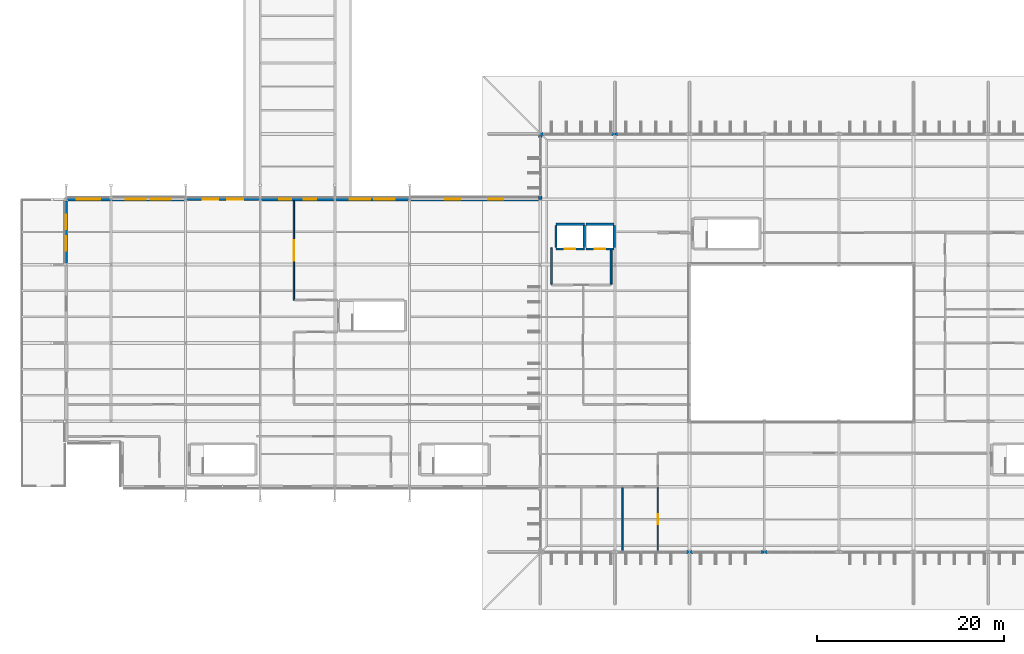
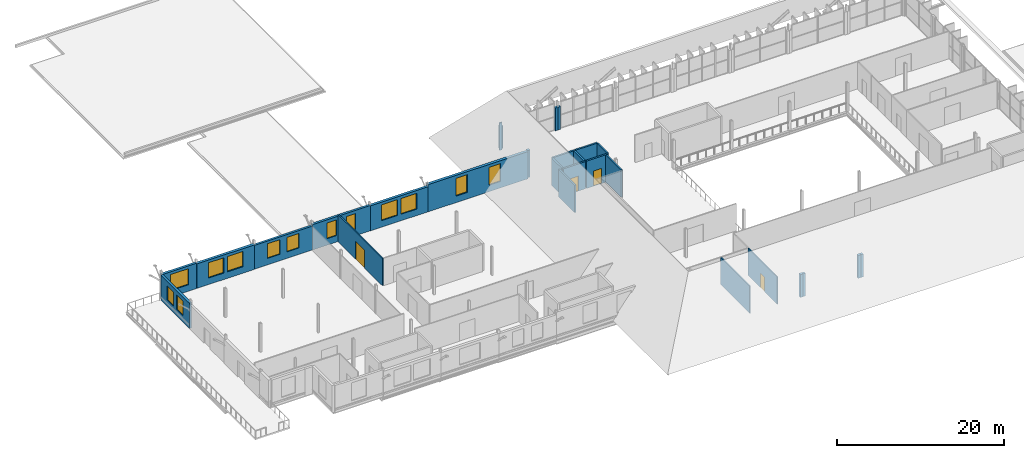
# One storey, part 81 of 93: 28 walls, 13 windows, 4 doors, 17 openings.
"""IFC4 building model written with IfcOpenShell, lengths in metres."""

import ifcopenshell
import ifcopenshell.guid

model = None  # the IFC model being written
_history = None  # IfcOwnerHistory: only IFC2X3 demands one
_inside = {}  # id of a spatial element -> (the spatial element, [elements in it])
_under = {}  # id of a project, library or spatial element -> (it, [spatial elements below it])
_declared = {}  # id of a project -> (the project, [libraries it declares])
_typed = {}  # id of a type object -> (the type object, [elements of that type])
_made_of = {}  # id of a material, layer set ... -> (it, [elements and type objects made of it])


def new_model(schema):
    """Start an empty IFC model of exactly this schema.

    Asked for "IFC4X3", IfcOpenShell would pick the latest addendum, in which some entities
    have other attributes; the version numbers below select the first issue.
    IFC2X3 requires an IfcOwnerHistory on every rooted entity: one is made here for all.
    """
    global model, _history
    if schema == "IFC4X3":
        model = ifcopenshell.file(schema_version=(4, 3, 0, 0))
    else:
        model = ifcopenshell.file(schema=schema)
    _inside.clear()
    _under.clear()
    _declared.clear()
    _typed.clear()
    _made_of.clear()
    _history = None
    if model.schema == "IFC2X3":
        org = make("IfcOrganization", Name="unknown")
        user = make(
            "IfcPersonAndOrganization",
            ThePerson=make("IfcPerson", FamilyName="unknown"),
            TheOrganization=org,
        )
        app = make(
            "IfcApplication",
            ApplicationDeveloper=org,
            Version="unknown",
            ApplicationFullName="unknown",
            ApplicationIdentifier="unknown",
        )
        _history = make(
            "IfcOwnerHistory",
            OwningUser=user,
            OwningApplication=app,
            ChangeAction="ADDED",
            CreationDate=0,
        )
    return model


def make(cls, **values):
    """One entity of the class cls with the attributes given. An attribute that is None is left unset."""
    return model.create_entity(
        cls, **{name: value for name, value in values.items() if value is not None}
    )


def rooted(cls, **values):
    """An entity with a GlobalId (a new one), such as an element, a storey or a relation."""
    return make(cls, GlobalId=ifcopenshell.guid.new(), OwnerHistory=_history, **values)


def si_unit(unit_type, name, prefix=None):
    """IfcSIUnit, for example si_unit("LENGTHUNIT", "METRE", prefix="MILLI")."""
    return make("IfcSIUnit", UnitType=unit_type, Prefix=prefix, Name=name)


def assignment(units):
    """IfcUnitAssignment: the units of a project."""
    return None if units is None else make("IfcUnitAssignment", Units=units)


def point(xyz):
    """IfcCartesianPoint."""
    return None if xyz is None else make("IfcCartesianPoint", Coordinates=xyz)


def direction(xyz):
    """IfcDirection."""
    return None if xyz is None else make("IfcDirection", DirectionRatios=xyz)


def frame(location, z_axis=None, x_axis=None):
    """IfcAxis2Placement3D, a coordinate frame: its origin and axes. An axis left out is left unset."""
    return make(
        "IfcAxis2Placement3D",
        Location=point(location),
        Axis=direction(z_axis),
        RefDirection=direction(x_axis),
    )


def frame_2d(location, x_axis=None):
    """IfcAxis2Placement2D, a coordinate frame in the plane: its origin and x axis."""
    return make(
        "IfcAxis2Placement2D", Location=point(location), RefDirection=direction(x_axis)
    )


def origin():
    """The frame at (0, 0, 0) with its axes left unset."""
    return frame((0.0, 0.0, 0.0))


def place(relative_to, where):
    """IfcLocalPlacement: puts the frame where relative to a parent placement (None: the world)."""
    return make(
        "IfcLocalPlacement", PlacementRelTo=relative_to, RelativePlacement=where
    )


def context(
    kind, dimensions, precision=None, world=None, true_north=None, identifier=None
):
    """IfcGeometricRepresentationContext, for example the 3D "Model" context."""
    return make(
        "IfcGeometricRepresentationContext",
        ContextIdentifier=identifier,
        ContextType=kind,
        CoordinateSpaceDimension=dimensions,
        Precision=precision,
        WorldCoordinateSystem=world,
        TrueNorth=true_north,
    )


def subcontext(parent, identifier, kind, view, scale=None):
    """IfcGeometricRepresentationSubContext, for example "Body" below "Model"."""
    return make(
        "IfcGeometricRepresentationSubContext",
        ContextIdentifier=identifier,
        ContextType=kind,
        ParentContext=parent,
        TargetScale=scale,
        TargetView=view,
    )


def project(units=None, contexts=None):
    """IfcProject with its units and contexts."""
    return rooted(
        "IfcProject",
        Name="project",
        RepresentationContexts=contexts,
        UnitsInContext=assignment(units),
    )


def spatial(cls, under=None, at=None, **own):
    """A site, building, storey or space (cls), placed at a placement, below another one or the project."""
    s = rooted(cls, ObjectPlacement=at, **own)
    if under is not None:
        _under.setdefault(under.id(), (under, []))[1].append(s)
    return s


def profile(cls, at=None, kind="AREA", **sizes):
    """A parametric profile (cls). Its sizes go by their IFC names, for example OverallWidth=200.0."""
    return make(cls, ProfileType=kind, Position=at, **sizes)


def rectangle(**sizes):
    """IfcRectangleProfileDef."""
    return profile("IfcRectangleProfileDef", **sizes)


def extrude(swept, where, along, depth):
    """IfcExtrudedAreaSolid: the profile swept, set in the frame where, extruded along a direction by depth."""
    return make(
        "IfcExtrudedAreaSolid",
        SweptArea=swept,
        Position=where,
        ExtrudedDirection=direction(along),
        Depth=depth,
    )


def shape(context_of_items, identifier, shape_type, items):
    """IfcShapeRepresentation: the items that make up one representation, for example the "Body"."""
    return make(
        "IfcShapeRepresentation",
        ContextOfItems=context_of_items,
        RepresentationIdentifier=identifier,
        RepresentationType=shape_type,
        Items=items,
    )


def material(Name=None, Category=None):
    """IfcMaterial."""
    return make("IfcMaterial", Name=Name, Category=Category)


def layer(
    of_material, thickness, ventilated=None, Name=None, Category=None, Priority=None
):
    """IfcMaterialLayer: one layer of a wall or slab, of a material (None: an air gap)."""
    return make(
        "IfcMaterialLayer",
        Material=of_material,
        LayerThickness=thickness,
        IsVentilated=ventilated,
        Name=Name,
        Category=Category,
        Priority=Priority,
    )


def layer_set(layers, Name=None):
    """IfcMaterialLayerSet."""
    return make("IfcMaterialLayerSet", MaterialLayers=layers, LayerSetName=Name)


def made_of(thing, what):
    """Note that an element or type object is made of a material, layer set ...; save() writes the relation."""
    if what is not None:
        _made_of.setdefault(what.id(), (what, []))[1].append(thing)
    return thing


def type_object(cls, material=None, **own):
    """A type object (cls), such as IfcWallType, which elements share."""
    return made_of(rooted(cls, **own), material)


def element(
    cls,
    number,
    at=None,
    inside=None,
    cuts=None,
    type_object=None,
    material=None,
    context=None,
    identifier="Body",
    shape_type=None,
    held_by="IfcProductDefinitionShape",
    body=None,
    shapes=None,
    **own,
):
    """One element of the class cls, such as IfcWall. Its Tag is "e" and its number.

    at: its placement. inside: the storey or other place that contains it. cuts: it is an
    opening in that element (IfcRelVoidsElement). A single representation is given by context,
    identifier, shape_type and body (its items); several are given by shapes. held_by: the class
    of the entity that holds the representations. save() writes the other relations.
    """
    e = rooted(cls, Tag="e%d" % number, ObjectPlacement=at, **own)
    if body is not None:
        shapes = [shape(context, identifier, shape_type, body)]
    if shapes is not None:
        e.Representation = make(held_by, Representations=shapes)
    if inside is not None:
        _inside.setdefault(inside.id(), (inside, []))[1].append(e)
    if cuts is not None:
        rooted(
            "IfcRelVoidsElement", RelatingBuildingElement=cuts, RelatedOpeningElement=e
        )
    if type_object is not None:
        _typed.setdefault(type_object.id(), (type_object, []))[1].append(e)
    return made_of(e, material)


def fill(opening, filler):
    """IfcRelFillsElement: the door or window that sits in an opening."""
    return rooted(
        "IfcRelFillsElement",
        RelatingOpeningElement=opening,
        RelatedBuildingElement=filler,
    )


def aggregate(whole, parts):
    """IfcRelAggregates: a whole, such as a stair, and the parts it consists of."""
    return rooted("IfcRelAggregates", RelatingObject=whole, RelatedObjects=parts)


def save(model, path):
    """Write the relations noted so far, then the file.

    IfcRelAggregates (storeys below a building ...), IfcRelContainedInSpatialStructure (elements
    in a storey), IfcRelDefinesByType, IfcRelAssociatesMaterial and IfcRelDeclares: one each for
    every whole, place, type object, material and project.
    """
    for whole, parts in _under.values():
        aggregate(whole, parts)
    for where, things in _inside.values():
        rooted(
            "IfcRelContainedInSpatialStructure",
            RelatedElements=things,
            RelatingStructure=where,
        )
    for kind, things in _typed.values():
        rooted("IfcRelDefinesByType", RelatedObjects=things, RelatingType=kind)
    for what, things in _made_of.values():
        rooted("IfcRelAssociatesMaterial", RelatedObjects=things, RelatingMaterial=what)
    for by, libraries in _declared.values():
        rooted("IfcRelDeclares", RelatingContext=by, RelatedDefinitions=libraries)
    model.write(path)


model = new_model("IFC4")

# Units and contexts
model_context = context("Model", 3, precision=1e-05, world=origin(), true_north=direction((0.0, 1.0)))
body_context = subcontext(model_context, "Body", "Model", "MODEL_VIEW")
ifc_project = project(units=[si_unit("LENGTHUNIT", "METRE"), si_unit("AREAUNIT", "SQUARE_METRE"), si_unit("VOLUMEUNIT", "CUBIC_METRE"), si_unit("PLANEANGLEUNIT", "RADIAN"), si_unit("MASSUNIT", "GRAM", prefix="KILO")], contexts=[model_context])

# Site, building, storey
site_placement = place(None, origin())
site = spatial("IfcSite", under=ifc_project, at=site_placement, CompositionType="ELEMENT")
building_placement = place(site_placement, origin())
building = spatial("IfcBuilding", under=site, at=building_placement, Name="Vekula Escarpment Museum", CompositionType="ELEMENT")
storey_placement = place(building_placement, frame((0.0, 0.0, 22.199951171875)))
storey = spatial("IfcBuildingStorey", under=building, at=storey_placement, Name="L05", CompositionType="ELEMENT", Elevation=22.199951171875)

# Wall, openings, windows
ifc_material_1 = material(Name="Inkisi arkosic sandstone masonry", Category="masonry")
ifc_layer_1 = layer(ifc_material_1, 0.300048828125)
ifc_layer_set_1 = layer_set([ifc_layer_1], Name="Inkisi arkosic sandstone masonry")
wall_type_1 = type_object("IfcWallType", Name="WL-ALM-300", PredefinedType="SOLIDWALL", material=ifc_layer_set_1)
wall_1_placement = place(storey_placement, frame((32.0, 83.39990234375, 0.0), z_axis=(0.0, 0.0, 1.0), x_axis=(1.0, 0.0, 0.0)))
wall_1 = element("IfcWall", 1, at=wall_1_placement, inside=storey, type_object=wall_type_1, Name="Exterior Wall WL-EXT-L05-0863", PredefinedType="SOLIDWALL", context=body_context, shape_type="SweptSolid", body=[
    extrude(rectangle(XDim=8.0, YDim=0.300048828125, at=frame_2d((4.0, 0.0))), origin(), (0.0, 0.0, 1.0), 3.485107421875),
])
opening_1_placement = place(wall_1_placement, frame((1.816650390625, 0.0, 0.949951171875)))
opening_1 = element("IfcOpeningElement", 2, at=opening_1_placement, cuts=wall_1, Name="Opening WN-19", PredefinedType="OPENING", context=body_context, shape_type="SweptSolid", body=[
    extrude(rectangle(XDim=1.699951171875, YDim=2.1298828125, at=frame_2d((0.85009765625, 1.06494140625))), frame((0.0, 0.159912109375, 0.0), z_axis=(0.0, -1.0, 0.0), x_axis=(1.0, 0.0, 0.0)), (0.0, 0.0, 1.0), 0.320068359375),
])
opening_2_placement = place(wall_1_placement, frame((4.4833984375, 0.0, 0.949951171875)))
opening_2 = element("IfcOpeningElement", 3, at=opening_2_placement, cuts=wall_1, Name="Opening WN-19", PredefinedType="OPENING", context=body_context, shape_type="SweptSolid", body=[
    extrude(rectangle(XDim=1.699951171875, YDim=2.1298828125, at=frame_2d((0.85009765625, 1.06494140625))), frame((0.0, 0.159912109375, 0.0), z_axis=(0.0, -1.0, 0.0), x_axis=(1.0, 0.0, 0.0)), (0.0, 0.0, 1.0), 0.320068359375),
])
ifc_material_2 = material(Name="Double solar-control low-E glass", Category="glass")
window_type_1 = type_object("IfcWindowType", Name="WN-GAL-17x27", PartitioningType="DOUBLE_PANEL_VERTICAL", PredefinedType="WINDOW", material=ifc_material_2)
window_1_placement = place(opening_1_placement, origin())
window_1 = element("IfcWindow", 4, at=window_1_placement, inside=storey, type_object=window_type_1, Name="Window L05-0461", OverallHeight=2.1298828125, OverallWidth=1.699951171875, PartitioningType="SINGLE_PANEL", PredefinedType="WINDOW", context=body_context, shape_type="SweptSolid", body=[
    extrude(rectangle(XDim=1.699951171875, YDim=2.1298828125, at=frame_2d((0.85009765625, 1.06494140625))), frame((0.0, 0.030029296875, 0.0), z_axis=(0.0, -1.0, 0.0), x_axis=(1.0, 0.0, 0.0)), (0.0, 0.0, 1.0), 0.06005859375),
])
fill(opening_1, window_1)
window_2_placement = place(opening_2_placement, origin())
window_2 = element("IfcWindow", 5, at=window_2_placement, inside=storey, type_object=window_type_1, Name="Window L05-0462", OverallHeight=2.1298828125, OverallWidth=1.699951171875, PartitioningType="SINGLE_PANEL", PredefinedType="WINDOW", context=body_context, shape_type="SweptSolid", body=[
    extrude(rectangle(XDim=1.699951171875, YDim=2.1298828125, at=frame_2d((0.85009765625, 1.06494140625))), frame((0.0, 0.030029296875, 0.0), z_axis=(0.0, -1.0, 0.0), x_axis=(1.0, 0.0, 0.0)), (0.0, 0.0, 1.0), 0.06005859375),
])
fill(opening_2, window_2)

ifc_material_3 = material(Name="Inkisi arkosic sandstone masonry", Category="masonry")
ifc_layer_2 = layer(ifc_material_3, 0.320068359375)
ifc_layer_set_2 = layer_set([ifc_layer_2], Name="Inkisi arkosic sandstone masonry")
wall_type_2 = type_object("IfcWallType", Name="WL-ALM-320", PredefinedType="SOLIDWALL", material=ifc_layer_set_2)
wall_2_placement = place(storey_placement, frame((40.0, 83.39990234375, 0.0), z_axis=(0.0, 0.0, 1.0), x_axis=(1.0, 0.0, 0.0)))
wall_2 = element("IfcWall", 6, at=wall_2_placement, inside=storey, type_object=wall_type_2, Name="Exterior Wall WL-EXT-L05-0862", PredefinedType="SOLIDWALL", context=body_context, shape_type="SweptSolid", body=[
    extrude(rectangle(XDim=8.0, YDim=0.320068359375, at=frame_2d((4.0, 0.0))), origin(), (0.0, 0.0, 1.0), 3.705078125),
])
opening_3_placement = place(wall_2_placement, frame((2.0166015625, 0.0, 0.949951171875)))
opening_3 = element("IfcOpeningElement", 7, at=opening_3_placement, cuts=wall_2, Name="Opening WN-17", PredefinedType="OPENING", context=body_context, shape_type="SweptSolid", body=[
    extrude(rectangle(XDim=1.300048828125, YDim=2.300048828125, at=frame_2d((0.64990234375, 1.14990234375))), frame((0.0, 0.169921875, 0.0), z_axis=(0.0, -1.0, 0.0), x_axis=(1.0, 0.0, 0.0)), (0.0, 0.0, 1.0), 0.340087890625),
])
opening_4_placement = place(wall_2_placement, frame((4.683349609375, 0.0, 0.949951171875)))
opening_4 = element("IfcOpeningElement", 8, at=opening_4_placement, cuts=wall_2, Name="Opening WN-17", PredefinedType="OPENING", context=body_context, shape_type="SweptSolid", body=[
    extrude(rectangle(XDim=1.300048828125, YDim=2.300048828125, at=frame_2d((0.64990234375, 1.14990234375))), frame((0.0, 0.169921875, 0.0), z_axis=(0.0, -1.0, 0.0), x_axis=(1.0, 0.0, 0.0)), (0.0, 0.0, 1.0), 0.340087890625),
])
ifc_material_4 = material(Name="Double solar-control low-E glass", Category="glass")
window_type_2 = type_object("IfcWindowType", Name="WN-GAL-13x23", PartitioningType="SINGLE_PANEL", PredefinedType="WINDOW", material=ifc_material_4)
window_3_placement = place(opening_3_placement, origin())
window_3 = element("IfcWindow", 9, at=window_3_placement, inside=storey, type_object=window_type_2, Name="Window L05-0459", OverallHeight=2.300048828125, OverallWidth=1.300048828125, PartitioningType="SINGLE_PANEL", PredefinedType="WINDOW", context=body_context, shape_type="SweptSolid", body=[
    extrude(rectangle(XDim=1.300048828125, YDim=2.300048828125, at=frame_2d((0.64990234375, 1.14990234375))), frame((0.0, 0.030029296875, 0.0), z_axis=(0.0, -1.0, 0.0), x_axis=(1.0, 0.0, 0.0)), (0.0, 0.0, 1.0), 0.06005859375),
])
fill(opening_3, window_3)
window_4_placement = place(opening_4_placement, origin())
window_4 = element("IfcWindow", 10, at=window_4_placement, inside=storey, type_object=window_type_2, Name="Window L05-0460", OverallHeight=2.300048828125, OverallWidth=1.300048828125, PartitioningType="SINGLE_PANEL", PredefinedType="WINDOW", context=body_context, shape_type="SweptSolid", body=[
    extrude(rectangle(XDim=1.300048828125, YDim=2.300048828125, at=frame_2d((0.64990234375, 1.14990234375))), frame((0.0, 0.030029296875, 0.0), z_axis=(0.0, -1.0, 0.0), x_axis=(1.0, 0.0, 0.0)), (0.0, 0.0, 1.0), 0.06005859375),
])
fill(opening_4, window_4)

wall_3_placement = place(storey_placement, frame((19.199951171875, 76.39990234375, 0.0), z_axis=(0.0, 0.0, 1.0), x_axis=(0.0, 1.0, 0.0)))
wall_3 = element("IfcWall", 11, at=wall_3_placement, inside=storey, type_object=wall_type_2, Name="Exterior Wall WL-EXT-L05-0866", PredefinedType="SOLIDWALL", context=body_context, shape_type="SweptSolid", body=[
    extrude(rectangle(XDim=6.821044921875, YDim=0.320068359375, at=frame_2d((3.41064453125, 0.0))), origin(), (0.0, 0.0, 1.0), 3.695068359375),
])
opening_5_placement = place(wall_3_placement, frame((1.498779296875, 0.0, 0.949951171875)))
opening_5 = element("IfcOpeningElement", 12, at=opening_5_placement, cuts=wall_3, Name="Opening WN-24", PredefinedType="OPENING", context=body_context, shape_type="SweptSolid", body=[
    extrude(rectangle(XDim=1.550048828125, YDim=2.10009765625, at=frame_2d((0.77490234375, 1.050048828125))), frame((0.0, 0.169921875, 0.0), z_axis=(0.0, -1.0, 0.0), x_axis=(1.0, 0.0, 0.0)), (0.0, 0.0, 1.0), 0.340087890625),
])
opening_6_placement = place(wall_3_placement, frame((3.772216796875, 0.0, 0.949951171875)))
opening_6 = element("IfcOpeningElement", 13, at=opening_6_placement, cuts=wall_3, Name="Opening WN-24", PredefinedType="OPENING", context=body_context, shape_type="SweptSolid", body=[
    extrude(rectangle(XDim=1.550048828125, YDim=2.10009765625, at=frame_2d((0.77490234375, 1.050048828125))), frame((0.0, 0.169921875, 0.0), z_axis=(0.0, -1.0, 0.0), x_axis=(1.0, 0.0, 0.0)), (0.0, 0.0, 1.0), 0.340087890625),
])
ifc_material_5 = material(Name="Double solar-control low-E glass", Category="glass")
window_type_3 = type_object("IfcWindowType", Name="WN-GAL-15x21", PartitioningType="SINGLE_PANEL", PredefinedType="WINDOW", material=ifc_material_5)
window_5_placement = place(opening_5_placement, origin())
window_5 = element("IfcWindow", 14, at=window_5_placement, inside=storey, type_object=window_type_3, Name="Window L05-0466", OverallHeight=2.10009765625, OverallWidth=1.550048828125, PartitioningType="SINGLE_PANEL", PredefinedType="WINDOW", context=body_context, shape_type="SweptSolid", body=[
    extrude(rectangle(XDim=1.550048828125, YDim=2.10009765625, at=frame_2d((0.77490234375, 1.050048828125))), frame((0.0, 0.030029296875, 0.0), z_axis=(0.0, -1.0, 0.0), x_axis=(1.0, 0.0, 0.0)), (0.0, 0.0, 1.0), 0.06005859375),
])
fill(opening_5, window_5)
window_6_placement = place(opening_6_placement, origin())
window_6 = element("IfcWindow", 15, at=window_6_placement, inside=storey, type_object=window_type_3, Name="Window L05-0467", OverallHeight=2.10009765625, OverallWidth=1.550048828125, PartitioningType="SINGLE_PANEL", PredefinedType="WINDOW", context=body_context, shape_type="SweptSolid", body=[
    extrude(rectangle(XDim=1.550048828125, YDim=2.10009765625, at=frame_2d((0.77490234375, 1.050048828125))), frame((0.0, 0.030029296875, 0.0), z_axis=(0.0, -1.0, 0.0), x_axis=(1.0, 0.0, 0.0)), (0.0, 0.0, 1.0), 0.06005859375),
])
fill(opening_6, window_6)

# Walls
ifc_material_6 = material(Name="Inkisi arkosic sandstone masonry", Category="masonry")
ifc_layer_3 = layer(ifc_material_6, 0.35009765625)
ifc_layer_set_3 = layer_set([ifc_layer_3], Name="Inkisi arkosic sandstone masonry")
wall_type_3 = type_object("IfcWallType", Name="WL-ALM-350", PredefinedType="SOLIDWALL", material=ifc_layer_set_3)
for number, where, z_axis, x_axis, name in (
    (16, (85.639892578125, 45.60009765625, 0.0), (0.0, 0.0, 1.0), (1.0, 0.0, 0.0), "Facade Jamb Pier L05-0821B"),
    (17, (86.0, 45.60009765625, 0.0), (0.0, 0.0, 1.0), (1.0, 0.0, 0.0), "Facade Jamb Pier L05-0822A"),
    (18, (93.639892578125, 45.60009765625, 0.0), (0.0, 0.0, 1.0), (1.0, 0.0, 0.0), "Facade Jamb Pier L05-0823B"),
    (19, (94.0, 45.60009765625, 0.0), (0.0, 0.0, 1.0), (1.0, 0.0, 0.0), "Facade Jamb Pier L05-0824A"),
    (20, (78.360107421875, 90.39990234375, 0.0), (0.0, 0.0, 1.0), (-1.0, 0.0, 0.0), "Facade Jamb Pier L05-0855B"),
    (21, (78.0, 90.39990234375, 0.0), (0.0, 0.0, 1.0), (-1.0, 0.0, 0.0), "Facade Jamb Pier L05-0856A"),
    (22, (70.360107421875, 90.39990234375, 0.0), (0.0, 0.0, 1.0), (-1.0, 0.0, 0.0), "Facade Jamb Pier L05-0857B"),
):
    element("IfcWall", number, at=place(storey_placement, frame(where, z_axis=z_axis, x_axis=x_axis)), inside=storey, type_object=wall_type_3, Name=name, PredefinedType="SOLIDWALL", context=body_context, shape_type="SweptSolid", body=[
        extrude(rectangle(XDim=0.360107421875, YDim=0.35009765625, at=frame_2d((0.18017578125, 0.0))), origin(), (0.0, 0.0, 1.0), 3.3349609375),
    ])
wall_4_placement = place(storey_placement, frame((70.0, 90.220947265625, 0.0), z_axis=(0.0, 0.0, 1.0), x_axis=(0.0, -1.0, 0.0)))
element("IfcWall", 23, at=wall_4_placement, inside=storey, type_object=wall_type_3, Name="Facade Jamb Pier L05-0858A", PredefinedType="SOLIDWALL", context=body_context, shape_type="SweptSolid", body=[
    extrude(rectangle(XDim=0.180908203125, YDim=0.35009765625, at=frame_2d((0.09033203125, 0.0))), origin(), (0.0, 0.0, 1.0), 3.97998046875),
])
wall_5_placement = place(storey_placement, frame((70.0, 83.760009765625, 0.0), z_axis=(0.0, 0.0, 1.0), x_axis=(0.0, -1.0, 0.0)))
element("IfcWall", 24, at=wall_5_placement, inside=storey, type_object=wall_type_3, Name="Facade Jamb Pier L05-0859B", PredefinedType="SOLIDWALL", context=body_context, shape_type="SweptSolid", body=[
    extrude(rectangle(XDim=0.360107421875, YDim=0.35009765625, at=frame_2d((0.18017578125, 0.0))), origin(), (0.0, 0.0, 1.0), 3.97998046875),
])

# Wall, openings, windows
wall_6_placement = place(storey_placement, frame((48.0, 83.39990234375, 0.0), z_axis=(0.0, 0.0, 1.0), x_axis=(1.0, 0.0, 0.0)))
wall_6 = element("IfcWall", 25, at=wall_6_placement, inside=storey, type_object=wall_type_3, Name="Exterior Wall WL-EXT-L05-0861", PredefinedType="SOLIDWALL", context=body_context, shape_type="SweptSolid", body=[
    extrude(rectangle(XDim=8.0, YDim=0.35009765625, at=frame_2d((4.0, 0.0))), origin(), (0.0, 0.0, 1.0), 3.6650390625),
])
opening_7_placement = place(wall_6_placement, frame((1.566650390625, 0.0, 0.949951171875)))
opening_7 = element("IfcOpeningElement", 26, at=opening_7_placement, cuts=wall_6, Name="Opening WN-16", PredefinedType="OPENING", context=body_context, shape_type="SweptSolid", body=[
    extrude(rectangle(XDim=2.199951171875, YDim=2.31005859375, at=frame_2d((1.10009765625, 1.155029296875))), frame((0.0, 0.18505859375, 0.0), z_axis=(0.0, -1.0, 0.0), x_axis=(1.0, 0.0, 0.0)), (0.0, 0.0, 1.0), 0.3701171875),
])
opening_8_placement = place(wall_6_placement, frame((4.2333984375, 0.0, 0.949951171875)))
opening_8 = element("IfcOpeningElement", 27, at=opening_8_placement, cuts=wall_6, Name="Opening WN-16", PredefinedType="OPENING", context=body_context, shape_type="SweptSolid", body=[
    extrude(rectangle(XDim=2.199951171875, YDim=2.31005859375, at=frame_2d((1.10009765625, 1.155029296875))), frame((0.0, 0.18505859375, 0.0), z_axis=(0.0, -1.0, 0.0), x_axis=(1.0, 0.0, 0.0)), (0.0, 0.0, 1.0), 0.3701171875),
])
ifc_material_7 = material(Name="Double solar-control low-E glass", Category="glass")
window_type_4 = type_object("IfcWindowType", Name="WN-SALON-22x26", PartitioningType="DOUBLE_PANEL_VERTICAL", PredefinedType="WINDOW", material=ifc_material_7)
window_7_placement = place(opening_7_placement, origin())
window_7 = element("IfcWindow", 28, at=window_7_placement, inside=storey, type_object=window_type_4, Name="Window L05-0457", OverallHeight=2.31005859375, OverallWidth=2.199951171875, PartitioningType="SINGLE_PANEL", PredefinedType="WINDOW", context=body_context, shape_type="SweptSolid", body=[
    extrude(rectangle(XDim=2.199951171875, YDim=2.31005859375, at=frame_2d((1.10009765625, 1.155029296875))), frame((0.0, 0.030029296875, 0.0), z_axis=(0.0, -1.0, 0.0), x_axis=(1.0, 0.0, 0.0)), (0.0, 0.0, 1.0), 0.06005859375),
])
fill(opening_7, window_7)
window_8_placement = place(opening_8_placement, origin())
window_8 = element("IfcWindow", 29, at=window_8_placement, inside=storey, type_object=window_type_4, Name="Window L05-0458", OverallHeight=2.31005859375, OverallWidth=2.199951171875, PartitioningType="SINGLE_PANEL", PredefinedType="WINDOW", context=body_context, shape_type="SweptSolid", body=[
    extrude(rectangle(XDim=2.199951171875, YDim=2.31005859375, at=frame_2d((1.10009765625, 1.155029296875))), frame((0.0, 0.030029296875, 0.0), z_axis=(0.0, -1.0, 0.0), x_axis=(1.0, 0.0, 0.0)), (0.0, 0.0, 1.0), 0.06005859375),
])
fill(opening_8, window_8)

# Wall, opening, window
wall_7_placement = place(storey_placement, frame((19.199951171875, 83.39990234375, 0.0), z_axis=(0.0, 0.0, 1.0), x_axis=(1.0, 0.0, 0.0)))
wall_7 = element("IfcWall", 30, at=wall_7_placement, inside=storey, type_object=wall_type_3, Name="Exterior Wall WL-EXT-L05-0865", PredefinedType="SOLIDWALL", context=body_context, shape_type="SweptSolid", body=[
    extrude(rectangle(XDim=4.800048828125, YDim=0.35009765625, at=frame_2d((2.39990234375, 0.0))), origin(), (0.0, 0.0, 1.0), 3.68505859375),
])
opening_9_placement = place(wall_7_placement, frame((1.14990234375, 0.0, 0.949951171875)))
opening_9 = element("IfcOpeningElement", 31, at=opening_9_placement, cuts=wall_7, Name="Opening WN-23", PredefinedType="OPENING", context=body_context, shape_type="SweptSolid", body=[
    extrude(rectangle(XDim=2.5, YDim=2.340087890625, at=frame_2d((1.25, 1.169921875))), frame((0.0, 0.18505859375, 0.0), z_axis=(0.0, -1.0, 0.0), x_axis=(1.0, 0.0, 0.0)), (0.0, 0.0, 1.0), 0.3701171875),
])
ifc_material_8 = material(Name="Double solar-control low-E glass", Category="glass")
window_type_5 = type_object("IfcWindowType", Name="WN-GAL-25x35", PartitioningType="TRIPLE_PANEL_VERTICAL", PredefinedType="WINDOW", material=ifc_material_8)
window_9_placement = place(opening_9_placement, origin())
window_9 = element("IfcWindow", 32, at=window_9_placement, inside=storey, type_object=window_type_5, Name="Window L05-0465", OverallHeight=2.340087890625, OverallWidth=2.5, PartitioningType="SINGLE_PANEL", PredefinedType="WINDOW", context=body_context, shape_type="SweptSolid", body=[
    extrude(rectangle(XDim=2.5, YDim=2.340087890625, at=frame_2d((1.25, 1.169921875))), frame((0.0, 0.030029296875, 0.0), z_axis=(0.0, -1.0, 0.0), x_axis=(1.0, 0.0, 0.0)), (0.0, 0.0, 1.0), 0.06005859375),
])
fill(opening_9, window_9)

# Wall, openings, windows
ifc_material_9 = material(Name="Inkisi arkosic sandstone masonry", Category="masonry")
ifc_layer_4 = layer(ifc_material_9, 0.3798828125)
ifc_layer_set_4 = layer_set([ifc_layer_4], Name="Inkisi arkosic sandstone masonry")
wall_type_4 = type_object("IfcWallType", Name="WL-ALM-380", PredefinedType="SOLIDWALL", material=ifc_layer_set_4)
wall_8_placement = place(storey_placement, frame((56.0, 83.39990234375, 0.0), z_axis=(0.0, 0.0, 1.0), x_axis=(1.0, 0.0, 0.0)))
wall_8 = element("IfcWall", 33, at=wall_8_placement, inside=storey, type_object=wall_type_4, Name="Exterior Wall WL-EXT-L05-0860", PredefinedType="SOLIDWALL", context=body_context, shape_type="SweptSolid", body=[
    extrude(rectangle(XDim=13.821044921875, YDim=0.3798828125, at=frame_2d((6.91064453125, 0.0))), origin(), (0.0, 0.0, 1.0), 3.97998046875),
])
opening_10_placement = place(wall_8_placement, frame((3.806884765625, 0.0, 0.949951171875)))
opening_10 = element("IfcOpeningElement", 34, at=opening_10_placement, cuts=wall_8, Name="Opening WN-12", PredefinedType="OPENING", context=body_context, shape_type="SweptSolid", body=[
    extrude(rectangle(XDim=1.60009765625, YDim=2.60009765625, at=frame_2d((0.800048828125, 1.300048828125))), frame((0.0, 0.199951171875, 0.0), z_axis=(0.0, -1.0, 0.0), x_axis=(1.0, 0.0, 0.0)), (0.0, 0.0, 1.0), 0.39990234375),
])
opening_11_placement = place(wall_8_placement, frame((8.4140625, 0.0, 0.949951171875)))
opening_11 = element("IfcOpeningElement", 35, at=opening_11_placement, cuts=wall_8, Name="Opening WN-12", PredefinedType="OPENING", context=body_context, shape_type="SweptSolid", body=[
    extrude(rectangle(XDim=1.60009765625, YDim=2.60009765625, at=frame_2d((0.800048828125, 1.300048828125))), frame((0.0, 0.199951171875, 0.0), z_axis=(0.0, -1.0, 0.0), x_axis=(1.0, 0.0, 0.0)), (0.0, 0.0, 1.0), 0.39990234375),
])
ifc_material_10 = material(Name="Double solar-control low-E glass", Category="glass")
window_type_6 = type_object("IfcWindowType", Name="WN-COURTYARD-16x26", PartitioningType="DOUBLE_PANEL_VERTICAL", PredefinedType="WINDOW", material=ifc_material_10)
window_10_placement = place(opening_10_placement, origin())
window_10 = element("IfcWindow", 36, at=window_10_placement, inside=storey, type_object=window_type_6, Name="Window L05-0455", OverallHeight=2.60009765625, OverallWidth=1.60009765625, PartitioningType="SINGLE_PANEL", PredefinedType="WINDOW", context=body_context, shape_type="SweptSolid", body=[
    extrude(rectangle(XDim=1.60009765625, YDim=2.60009765625, at=frame_2d((0.800048828125, 1.300048828125))), frame((0.0, 0.030029296875, 0.0), z_axis=(0.0, -1.0, 0.0), x_axis=(1.0, 0.0, 0.0)), (0.0, 0.0, 1.0), 0.06005859375),
])
fill(opening_10, window_10)
window_11_placement = place(opening_11_placement, origin())
window_11 = element("IfcWindow", 37, at=window_11_placement, inside=storey, type_object=window_type_6, Name="Window L05-0456", OverallHeight=2.60009765625, OverallWidth=1.60009765625, PartitioningType="SINGLE_PANEL", PredefinedType="WINDOW", context=body_context, shape_type="SweptSolid", body=[
    extrude(rectangle(XDim=1.60009765625, YDim=2.60009765625, at=frame_2d((0.800048828125, 1.300048828125))), frame((0.0, 0.030029296875, 0.0), z_axis=(0.0, -1.0, 0.0), x_axis=(1.0, 0.0, 0.0)), (0.0, 0.0, 1.0), 0.06005859375),
])
fill(opening_11, window_11)

wall_9_placement = place(storey_placement, frame((24.0, 83.39990234375, 0.0), z_axis=(0.0, 0.0, 1.0), x_axis=(1.0, 0.0, 0.0)))
wall_9 = element("IfcWall", 38, at=wall_9_placement, inside=storey, type_object=wall_type_4, Name="Exterior Wall WL-EXT-L05-0864", PredefinedType="SOLIDWALL", context=body_context, shape_type="SweptSolid", body=[
    extrude(rectangle(XDim=8.0, YDim=0.3798828125, at=frame_2d((4.0, 0.0))), origin(), (0.0, 0.0, 1.0), 3.5849609375),
])
opening_12_placement = place(wall_9_placement, frame((1.591796875, 0.0, 0.949951171875)))
opening_12 = element("IfcOpeningElement", 39, at=opening_12_placement, cuts=wall_9, Name="Opening WN-21", PredefinedType="OPENING", context=body_context, shape_type="SweptSolid", body=[
    extrude(rectangle(XDim=2.14990234375, YDim=2.239990234375, at=frame_2d((1.074951171875, 1.1201171875))), frame((0.0, 0.199951171875, 0.0), z_axis=(0.0, -1.0, 0.0), x_axis=(1.0, 0.0, 0.0)), (0.0, 0.0, 1.0), 0.39990234375),
])
opening_13_placement = place(wall_9_placement, frame((4.25830078125, 0.0, 0.949951171875)))
opening_13 = element("IfcOpeningElement", 40, at=opening_13_placement, cuts=wall_9, Name="Opening WN-21", PredefinedType="OPENING", context=body_context, shape_type="SweptSolid", body=[
    extrude(rectangle(XDim=2.14990234375, YDim=2.239990234375, at=frame_2d((1.074951171875, 1.1201171875))), frame((0.0, 0.199951171875, 0.0), z_axis=(0.0, -1.0, 0.0), x_axis=(1.0, 0.0, 0.0)), (0.0, 0.0, 1.0), 0.39990234375),
])
ifc_material_11 = material(Name="Double solar-control low-E glass", Category="glass")
window_type_7 = type_object("IfcWindowType", Name="WN-GAL-21x31", PartitioningType="DOUBLE_PANEL_VERTICAL", PredefinedType="WINDOW", material=ifc_material_11)
window_12_placement = place(opening_12_placement, origin())
window_12 = element("IfcWindow", 41, at=window_12_placement, inside=storey, type_object=window_type_7, Name="Window L05-0463", OverallHeight=2.239990234375, OverallWidth=2.14990234375, PartitioningType="SINGLE_PANEL", PredefinedType="WINDOW", context=body_context, shape_type="SweptSolid", body=[
    extrude(rectangle(XDim=2.14990234375, YDim=2.239990234375, at=frame_2d((1.074951171875, 1.1201171875))), frame((0.0, 0.030029296875, 0.0), z_axis=(0.0, -1.0, 0.0), x_axis=(1.0, 0.0, 0.0)), (0.0, 0.0, 1.0), 0.06005859375),
])
fill(opening_12, window_12)
window_13_placement = place(opening_13_placement, origin())
window_13 = element("IfcWindow", 42, at=window_13_placement, inside=storey, type_object=window_type_7, Name="Window L05-0464", OverallHeight=2.239990234375, OverallWidth=2.14990234375, PartitioningType="SINGLE_PANEL", PredefinedType="WINDOW", context=body_context, shape_type="SweptSolid", body=[
    extrude(rectangle(XDim=2.14990234375, YDim=2.239990234375, at=frame_2d((1.074951171875, 1.1201171875))), frame((0.0, 0.030029296875, 0.0), z_axis=(0.0, -1.0, 0.0), x_axis=(1.0, 0.0, 0.0)), (0.0, 0.0, 1.0), 0.06005859375),
])
fill(opening_13, window_13)

# Walls
ifc_material_12 = material(Name="Concrete C35/45", Category="concrete")
ifc_layer_5 = layer(ifc_material_12, 0.199951171875)
ifc_layer_set_5 = layer_set([ifc_layer_5], Name="Concrete C35/45")
wall_type_5 = type_object("IfcWallType", Name="WL-FFL-200", PredefinedType="PARTITIONING", material=ifc_layer_set_5)
wall_10_placement = place(storey_placement, frame((71.199951171875, 74.303955078125, 0.0), z_axis=(0.0, 0.0, 1.0), x_axis=(0.0, 1.0, 0.0)))
element("IfcWall", 43, at=wall_10_placement, inside=storey, type_object=wall_type_5, Name="Lift Lobby Wall LP-01 L05 W", PredefinedType="PARTITIONING", context=body_context, shape_type="SweptSolid", body=[
    extrude(rectangle(XDim=3.89599609375, YDim=0.199951171875, at=frame_2d((1.947998046875, 0.0))), origin(), (0.0, 0.0, 1.0), 3.97998046875),
])
wall_11_placement = place(storey_placement, frame((77.60009765625, 74.303955078125, 0.0), z_axis=(0.0, 0.0, 1.0), x_axis=(0.0, 1.0, 0.0)))
element("IfcWall", 44, at=wall_11_placement, inside=storey, type_object=wall_type_5, Name="Lift Lobby Wall LP-01 L05 E", PredefinedType="PARTITIONING", context=body_context, shape_type="SweptSolid", body=[
    extrude(rectangle(XDim=3.652099609375, YDim=0.199951171875, at=frame_2d((1.826171875, 0.0))), origin(), (0.0, 0.0, 1.0), 3.97998046875),
])

# Wall, opening, door
ifc_material_13 = material(Name="Moisture-resistant wet-room partition", Category="gypsum")
ifc_layer_6 = layer(ifc_material_13, 0.139892578125)
ifc_layer_set_6 = layer_set([ifc_layer_6], Name="Moisture-resistant wet-room partition")
wall_type_6 = type_object("IfcWallType", Name="WL-PART-140", PredefinedType="PARTITIONING", material=ifc_layer_set_6)
wall_12_placement = place(storey_placement, frame((82.60009765625, 45.60009765625, 0.0), z_axis=(0.0, 0.0, 1.0), x_axis=(0.0, 1.0, 0.0)))
wall_12 = element("IfcWall", 45, at=wall_12_placement, inside=storey, type_object=wall_type_6, Name="Interior Partition WL-INT-L05-0025", PredefinedType="PARTITIONING", context=body_context, shape_type="SweptSolid", body=[
    extrude(rectangle(XDim=7.0, YDim=0.139892578125, at=frame_2d((3.5, 0.0))), origin(), (0.0, 0.0, 1.0), 3.97998046875),
])
opening_14_placement = place(wall_12_placement, frame((2.97509765625, 0.0, 0.0)))
opening_14 = element("IfcOpeningElement", 46, at=opening_14_placement, cuts=wall_12, Name="Opening DR-PM10", PredefinedType="OPENING", context=body_context, shape_type="SweptSolid", body=[
    extrude(rectangle(XDim=1.050048828125, YDim=2.14990234375, at=frame_2d((0.52490234375, 1.074951171875))), frame((0.0, 0.079833984375, 0.0), z_axis=(0.0, -1.0, 0.0), x_axis=(1.0, 0.0, 0.0)), (0.0, 0.0, 1.0), 0.159912109375),
])
ifc_material_14 = material(Name="Accessible PMR washroom door", Category="steel")
door_type_1 = type_object("IfcDoorType", Name="DR-PMR-1050x2150", OperationType="NOTDEFINED", PredefinedType="DOOR", material=ifc_material_14)
door_1_placement = place(opening_14_placement, origin())
door_1 = element("IfcDoor", 47, at=door_1_placement, inside=storey, type_object=door_type_1, Name="Interior Door L05-025", OperationType="SINGLE_SWING_LEFT", OverallHeight=2.14990234375, OverallWidth=1.050048828125, PredefinedType="DOOR", context=body_context, shape_type="SweptSolid", body=[
    extrude(rectangle(XDim=1.050048828125, YDim=2.14990234375, at=frame_2d((0.52490234375, 1.074951171875))), frame((0.0, 0.02490234375, 0.0), z_axis=(0.0, -1.0, 0.0), x_axis=(1.0, 0.0, 0.0)), (0.0, 0.0, 1.0), 0.050048828125),
])
fill(opening_14, door_1)

# Wall
wall_13_placement = place(storey_placement, frame((78.800048828125, 45.60009765625, 0.0), z_axis=(0.0, 0.0, 1.0), x_axis=(0.0, 1.0, 0.0)))
element("IfcWall", 48, at=wall_13_placement, inside=storey, type_object=wall_type_6, Name="Interior Partition WL-INT-L05-0033", PredefinedType="PARTITIONING", context=body_context, shape_type="SweptSolid", body=[
    extrude(rectangle(XDim=6.92578125, YDim=0.139892578125, at=frame_2d((3.462890625, 0.0))), origin(), (0.0, 0.0, 1.0), 3.97998046875),
])

# Wall, opening, door
ifc_material_15 = material(Name="Gypsum board gallery partition", Category="gypsum")
ifc_layer_7 = layer(ifc_material_15, 0.159912109375)
ifc_layer_set_7 = layer_set([ifc_layer_7], Name="Gypsum board gallery partition")
wall_type_7 = type_object("IfcWallType", Name="WL-PART-160", PredefinedType="PARTITIONING", material=ifc_layer_set_7)
wall_14_placement = place(storey_placement, frame((43.60009765625, 72.60009765625, 0.0), z_axis=(0.0, 0.0, 1.0), x_axis=(0.0, 1.0, 0.0)))
wall_14 = element("IfcWall", 49, at=wall_14_placement, inside=storey, type_object=wall_type_7, Name="Interior Partition WL-INT-L05-0007", PredefinedType="PARTITIONING", context=body_context, shape_type="SweptSolid", body=[
    extrude(rectangle(XDim=10.635986328125, YDim=0.159912109375, at=frame_2d((5.31787109375, 0.0))), origin(), (0.0, 0.0, 1.0), 3.97998046875),
])
opening_15_placement = place(wall_14_placement, frame((4.218017578125, 0.0, 0.0)))
opening_15 = element("IfcOpeningElement", 50, at=opening_15_placement, cuts=wall_14, Name="Opening DR-GL22", PredefinedType="OPENING", context=body_context, shape_type="SweptSolid", body=[
    extrude(rectangle(XDim=2.199951171875, YDim=2.60009765625, at=frame_2d((1.10009765625, 1.300048828125))), frame((0.0, 0.08984375, 0.0), z_axis=(0.0, -1.0, 0.0), x_axis=(1.0, 0.0, 0.0)), (0.0, 0.0, 1.0), 0.179931640625),
])
ifc_material_16 = material(Name="Double acoustic timber gallery door", Category="wood")
door_type_2 = type_object("IfcDoorType", Name="DR-GAL-2200x2600", OperationType="NOTDEFINED", PredefinedType="DOOR", material=ifc_material_16)
door_2_placement = place(opening_15_placement, origin())
door_2 = element("IfcDoor", 51, at=door_2_placement, inside=storey, type_object=door_type_2, Name="Interior Door L05-007", OperationType="SINGLE_SWING_LEFT", OverallHeight=2.60009765625, OverallWidth=2.199951171875, PredefinedType="DOOR", context=body_context, shape_type="SweptSolid", body=[
    extrude(rectangle(XDim=2.199951171875, YDim=2.60009765625, at=frame_2d((1.10009765625, 1.300048828125))), frame((0.0, 0.02490234375, 0.0), z_axis=(0.0, -1.0, 0.0), x_axis=(1.0, 0.0, 0.0)), (0.0, 0.0, 1.0), 0.050048828125),
])
fill(opening_15, door_2)

ifc_material_17 = material(Name="Concrete C35/45", Category="concrete")
ifc_layer_8 = layer(ifc_material_17, 0.239990234375)
ifc_layer_set_8 = layer_set([ifc_layer_8], Name="Concrete C35/45")
wall_type_8 = type_object("IfcWallType", Name="WL-SHF-240", PredefinedType="SHEAR", material=ifc_layer_set_8)
wall_15_placement = place(storey_placement, frame((71.679931640625, 78.080078125, 0.0), z_axis=(0.0, 0.0, 1.0), x_axis=(1.0, 0.0, 0.0)))
wall_15 = element("IfcWall", 52, at=wall_15_placement, inside=storey, type_object=wall_type_8, Name="Lift Shaft Wall LP-01 L05 S", PredefinedType="SHEAR", context=body_context, shape_type="SweptSolid", body=[
    extrude(rectangle(XDim=3.0400390625, YDim=0.239990234375, at=frame_2d((1.52001953125, 0.0))), origin(), (0.0, 0.0, 1.0), 3.97998046875),
])
opening_16_placement = place(wall_15_placement, frame((0.969970703125, 0.0, 0.0)))
opening_16 = element("IfcOpeningElement", 53, at=opening_16_placement, cuts=wall_15, Name="Opening LD-PAX", PredefinedType="OPENING", context=body_context, shape_type="SweptSolid", body=[
    extrude(rectangle(XDim=1.10009765625, YDim=2.199951171875, at=frame_2d((0.550048828125, 1.10009765625))), frame((0.0, 0.1298828125, 0.0), z_axis=(0.0, -1.0, 0.0), x_axis=(1.0, 0.0, 0.0)), (0.0, 0.0, 1.0), 0.260009765625),
])
ifc_material_18 = material(Name="Brushed stainless steel sliding lift landing door", Category="steel")
door_type_3 = type_object("IfcDoorType", Name="DR-LD-PAX-1100", OperationType="DOUBLE_DOOR_SLIDING", PredefinedType="DOOR", material=ifc_material_18)
door_3_placement = place(opening_16_placement, origin())
door_3 = element("IfcDoor", 54, at=door_3_placement, inside=storey, type_object=door_type_3, Name="Sliding Lift Landing Door LP-01 L05", OperationType="DOUBLE_DOOR_SLIDING", OverallHeight=2.199951171875, OverallWidth=1.10009765625, PredefinedType="DOOR", context=body_context, shape_type="SweptSolid", body=[
    extrude(rectangle(XDim=1.10009765625, YDim=2.199951171875, at=frame_2d((0.550048828125, 1.10009765625))), frame((0.0, 0.02490234375, 0.0), z_axis=(0.0, -1.0, 0.0), x_axis=(1.0, 0.0, 0.0)), (0.0, 0.0, 1.0), 0.050048828125),
])
fill(opening_16, door_3)

# Walls
wall_16_placement = place(storey_placement, frame((71.679931640625, 80.719970703125, 0.0), z_axis=(0.0, 0.0, 1.0), x_axis=(1.0, 0.0, 0.0)))
element("IfcWall", 55, at=wall_16_placement, inside=storey, type_object=wall_type_8, Name="Lift Shaft Wall LP-01 L05 N", PredefinedType="SHEAR", context=body_context, shape_type="SweptSolid", body=[
    extrude(rectangle(XDim=3.0400390625, YDim=0.239990234375, at=frame_2d((1.52001953125, 0.0))), origin(), (0.0, 0.0, 1.0), 3.97998046875),
])
for number, where, z_axis, x_axis, name in (
    (56, (71.679931640625, 78.2041015625, 0.0), (0.0, 0.0, 1.0), (0.0, 1.0, 0.0), "Lift Shaft Wall LP-01 L05 W"),
    (57, (74.719970703125, 78.2041015625, 0.0), (0.0, 0.0, 1.0), (0.0, 1.0, 0.0), "Lift Shaft Wall LP-01 L05 E"),
):
    element("IfcWall", number, at=place(storey_placement, frame(where, z_axis=z_axis, x_axis=x_axis)), inside=storey, type_object=wall_type_8, Name=name, PredefinedType="SHEAR", context=body_context, shape_type="SweptSolid", body=[
        extrude(rectangle(XDim=2.391845703125, YDim=0.239990234375, at=frame_2d((1.19580078125, 0.0))), origin(), (0.0, 0.0, 1.0), 3.97998046875),
    ])

# Wall, opening, door
wall_17_placement = place(storey_placement, frame((74.8798828125, 78.080078125, 0.0), z_axis=(0.0, 0.0, 1.0), x_axis=(1.0, 0.0, 0.0)))
wall_17 = element("IfcWall", 58, at=wall_17_placement, inside=storey, type_object=wall_type_8, Name="Lift Shaft Wall LP-02 L05 S", PredefinedType="SHEAR", context=body_context, shape_type="SweptSolid", body=[
    extrude(rectangle(XDim=3.0400390625, YDim=0.239990234375, at=frame_2d((1.52001953125, 0.0))), origin(), (0.0, 0.0, 1.0), 3.97998046875),
])
opening_17_placement = place(wall_17_placement, frame((0.969970703125, 0.0, 0.0)))
opening_17 = element("IfcOpeningElement", 59, at=opening_17_placement, cuts=wall_17, Name="Opening LD-PAX", PredefinedType="OPENING", context=body_context, shape_type="SweptSolid", body=[
    extrude(rectangle(XDim=1.10009765625, YDim=2.199951171875, at=frame_2d((0.550048828125, 1.10009765625))), frame((0.0, 0.1298828125, 0.0), z_axis=(0.0, -1.0, 0.0), x_axis=(1.0, 0.0, 0.0)), (0.0, 0.0, 1.0), 0.260009765625),
])
door_4_placement = place(opening_17_placement, origin())
door_4 = element("IfcDoor", 60, at=door_4_placement, inside=storey, type_object=door_type_3, Name="Sliding Lift Landing Door LP-02 L05", OperationType="DOUBLE_DOOR_SLIDING", OverallHeight=2.199951171875, OverallWidth=1.10009765625, PredefinedType="DOOR", context=body_context, shape_type="SweptSolid", body=[
    extrude(rectangle(XDim=1.10009765625, YDim=2.199951171875, at=frame_2d((0.550048828125, 1.10009765625))), frame((0.0, 0.02490234375, 0.0), z_axis=(0.0, -1.0, 0.0), x_axis=(1.0, 0.0, 0.0)), (0.0, 0.0, 1.0), 0.050048828125),
])
fill(opening_17, door_4)

# Walls
wall_18_placement = place(storey_placement, frame((74.8798828125, 80.719970703125, 0.0), z_axis=(0.0, 0.0, 1.0), x_axis=(1.0, 0.0, 0.0)))
element("IfcWall", 61, at=wall_18_placement, inside=storey, type_object=wall_type_8, Name="Lift Shaft Wall LP-02 L05 N", PredefinedType="SHEAR", context=body_context, shape_type="SweptSolid", body=[
    extrude(rectangle(XDim=3.0400390625, YDim=0.239990234375, at=frame_2d((1.52001953125, 0.0))), origin(), (0.0, 0.0, 1.0), 3.97998046875),
])
wall_19_placement = place(storey_placement, frame((77.919921875, 78.2041015625, 0.0), z_axis=(0.0, 0.0, 1.0), x_axis=(0.0, 1.0, 0.0)))
element("IfcWall", 62, at=wall_19_placement, inside=storey, type_object=wall_type_8, Name="Lift Shaft Wall LP-02 L05 E", PredefinedType="SHEAR", context=body_context, shape_type="SweptSolid", body=[
    extrude(rectangle(XDim=2.391845703125, YDim=0.239990234375, at=frame_2d((1.19580078125, 0.0))), origin(), (0.0, 0.0, 1.0), 3.97998046875),
])

save(model, "model.ifc")
